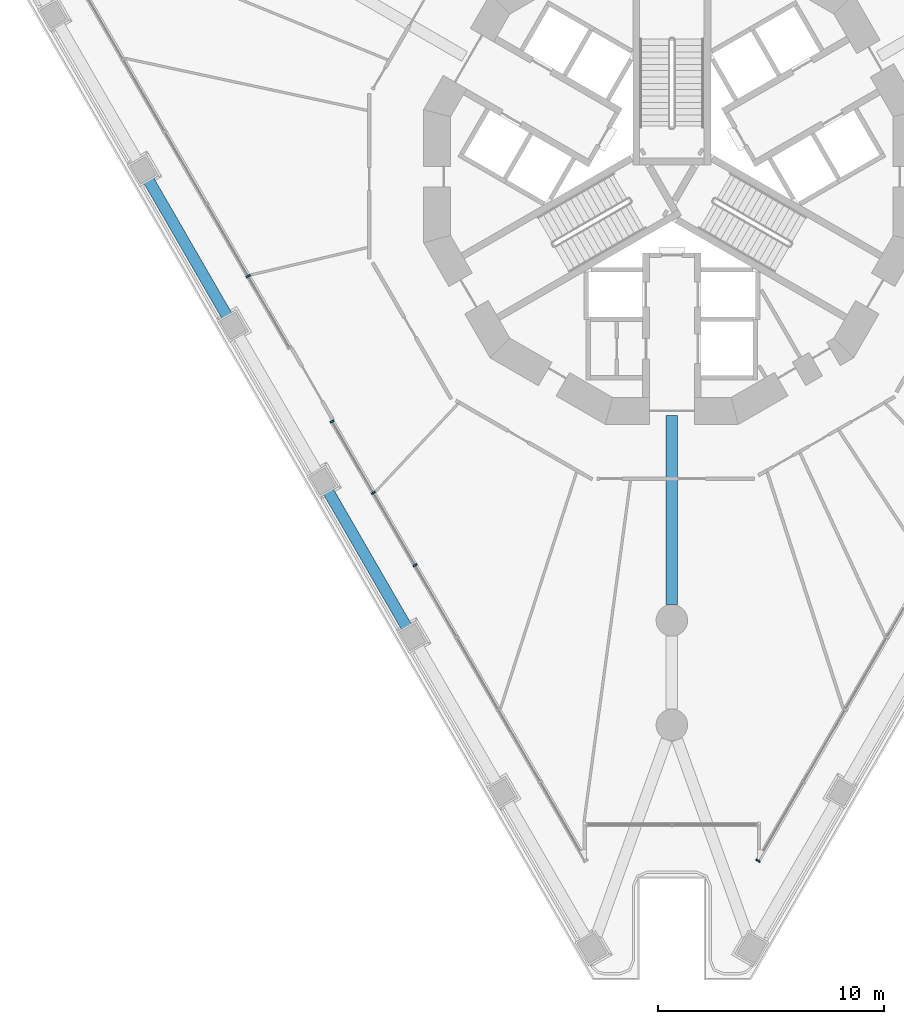
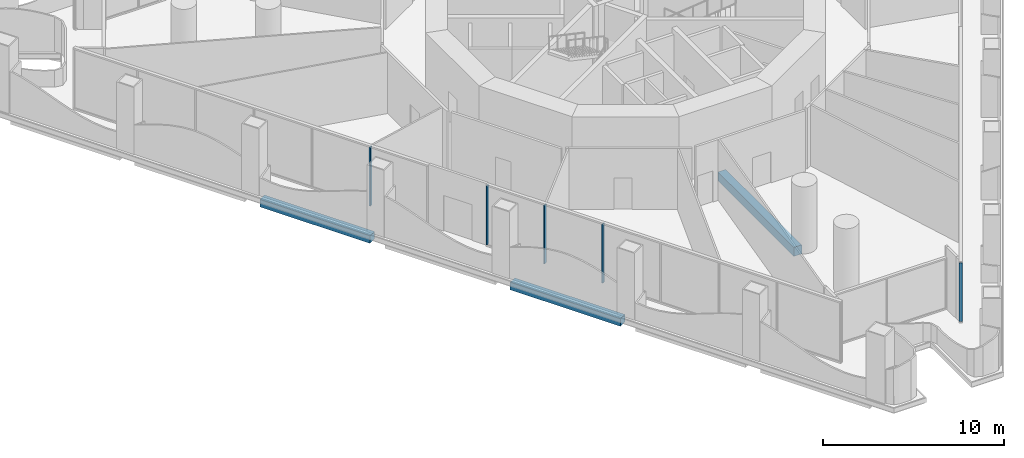
# One storey, part 3 of 21: 5 members, 3 beams, 3 elements without a shape of their own.
"""IFC4 building model written with IfcOpenShell, lengths in metres."""

from ifc_helpers import new_model, si_unit, direction, frame, origin, origin_2d, place, context, subcontext, project, spatial, rectangle, extrude, material, layer, layer_set, material_profile, profile_set, type_object, element, aggregate, save


model = new_model("IFC4")

# Units and contexts
model_context = context("Model", 3, precision=1e-05, world=origin(), true_north=direction((0.0, 1.0)))
body_context = subcontext(model_context, "Body", "Model", "MODEL_VIEW")
ifc_project = project(units=[si_unit("LENGTHUNIT", "METRE"), si_unit("AREAUNIT", "SQUARE_METRE"), si_unit("VOLUMEUNIT", "CUBIC_METRE"), si_unit("PLANEANGLEUNIT", "RADIAN"), si_unit("MASSUNIT", "GRAM", prefix="KILO")], contexts=[model_context])

# Site, building, storey
site_placement = place(None, origin())
site = spatial("IfcSite", under=ifc_project, at=site_placement, CompositionType="ELEMENT")
building_placement = place(site_placement, origin())
building = spatial("IfcBuilding", under=site, at=building_placement, Name="Trine Commons Tower", CompositionType="ELEMENT")
storey_placement = place(building_placement, frame((0.0, 0.0, 9.0)))
storey = spatial("IfcBuildingStorey", under=building, at=storey_placement, Name="L01", CompositionType="ELEMENT", Elevation=9.0)

# Curtain wall, member
ifc_material_1 = material(Name="Podium glazing: anodised aluminium frame with low-emissivity double glazed unit", Category="aluminium")
ifc_layer = layer(ifc_material_1, 0.199951171875)
ifc_layer_set = layer_set([ifc_layer], Name="Podium glazing: anodised aluminium frame with low-emissivity double glazed unit")
curtain_wall_type = type_object("IfcCurtainWallType", Name="Podium glazing curtain wall CW3", PredefinedType="NOTDEFINED", material=ifc_layer_set)
curtain_wall_1_placement = place(storey_placement, origin())
curtain_wall_1 = element("IfcCurtainWall", 1, at=curtain_wall_1_placement, inside=storey, type_object=curtain_wall_type, Name="Podium glazing L01 F2.2", PredefinedType="NOTDEFINED")
ifc_material_2 = material(Name="Anodised aluminium, bronze finish", Category="aluminium")
ifc_material_profile_1 = material_profile(ifc_material_2, rectangle(XDim=0.199951171875, YDim=0.074951171875, at=origin_2d()), Name="Mullion 75x200")
ifc_profile_set_1 = profile_set([ifc_material_profile_1], Name="Anodised aluminium, bronze finish")
member_type = type_object("IfcMemberType", Name="Mullion 75x200, Anodised aluminium, bronze finish", PredefinedType="MULLION", material=ifc_profile_set_1)
member_1_placement = place(storey_placement, frame((83.818603515625, 32.14501953125, 0.10009765625), z_axis=(0.0, 0.0, 1.0), x_axis=(0.866025403784, -0.5, 0.0)))
member_1 = element("IfcMember", 2, at=member_1_placement, type_object=member_type, Name="CW3 mullion 7.1", PredefinedType="MULLION", context=body_context, shape_type="SweptSolid", body=[
    extrude(rectangle(XDim=0.199951171875, YDim=0.074951171875, at=origin_2d()), origin(), (0.0, 0.0, 1.0), 3.949951171875),
])
aggregate(curtain_wall_1, [member_1])

# Curtain wall, members
curtain_wall_2_placement = place(storey_placement, origin())
curtain_wall_2 = element("IfcCurtainWall", 3, at=curtain_wall_2_placement, inside=storey, type_object=curtain_wall_type, Name="Podium glazing L01 F3.1", PredefinedType="NOTDEFINED")
member_2_placement = place(storey_placement, frame((68.615478515625, 45.2490234375, 0.10009765625), z_axis=(0.0, 0.0, 1.0), x_axis=(-0.866025403784, -0.5, 0.0)))
member_2 = element("IfcMember", 4, at=member_2_placement, type_object=member_type, Name="CW3 mullion 5.1", PredefinedType="MULLION", context=body_context, shape_type="SweptSolid", body=[
    extrude(rectangle(XDim=0.199951171875, YDim=0.074951171875, at=origin_2d()), origin(), (0.0, 0.0, 1.0), 3.949951171875),
])
member_3_placement = place(storey_placement, frame((66.76611328125, 48.452392578125, 0.10009765625), z_axis=(0.0, 0.0, 1.0), x_axis=(-0.866025403784, -0.5, 0.0)))
member_3 = element("IfcMember", 5, at=member_3_placement, type_object=member_type, Name="CW3 mullion 6.1", PredefinedType="MULLION", context=body_context, shape_type="SweptSolid", body=[
    extrude(rectangle(XDim=0.199951171875, YDim=0.074951171875, at=origin_2d()), origin(), (0.0, 0.0, 1.0), 3.949951171875),
])
member_4_placement = place(storey_placement, frame((64.935302734375, 51.623291015625, 0.10009765625), z_axis=(0.0, 0.0, 1.0), x_axis=(-0.866025403784, -0.5, 0.0)))
member_4 = element("IfcMember", 6, at=member_4_placement, type_object=member_type, Name="CW3 mullion 7.1", PredefinedType="MULLION", context=body_context, shape_type="SweptSolid", body=[
    extrude(rectangle(XDim=0.199951171875, YDim=0.074951171875, at=origin_2d()), origin(), (0.0, 0.0, 1.0), 3.949951171875),
])
aggregate(curtain_wall_2, [member_2, member_3, member_4])

# Curtain wall, member
curtain_wall_3_placement = place(storey_placement, origin())
curtain_wall_3 = element("IfcCurtainWall", 7, at=curtain_wall_3_placement, inside=storey, type_object=curtain_wall_type, Name="Podium glazing L01 F3.2", PredefinedType="NOTDEFINED")
member_5_placement = place(storey_placement, frame((61.2177734375, 58.0625, 0.10009765625), z_axis=(0.0, 0.0, 1.0), x_axis=(-0.866025403784, -0.5, 0.0)))
member_5 = element("IfcMember", 8, at=member_5_placement, type_object=member_type, Name="CW3 mullion 2.1", PredefinedType="MULLION", context=body_context, shape_type="SweptSolid", body=[
    extrude(rectangle(XDim=0.199951171875, YDim=0.074951171875, at=origin_2d()), origin(), (0.0, 0.0, 1.0), 3.949951171875),
])
aggregate(curtain_wall_3, [member_5])

# Beams
ifc_material_3 = material(Name="Concrete C50/60", Category="concrete")
ifc_material_profile_2 = material_profile(ifc_material_3, rectangle(XDim=0.5, YDim=0.5, at=origin_2d()), Name="RC 500x500")
ifc_profile_set_2 = profile_set([ifc_material_profile_2], Name="Concrete C50/60")
beam_type_1 = type_object("IfcBeamType", Name="RC beam 500x500, C50/60", PredefinedType="BEAM", material=ifc_profile_set_2)
for number, where, z_axis, x_axis, name in (
    (9, (68.254638671875, 42.474365234375, -0.64990234375), (-0.499991645397, 0.866030227263, 0.0), (-0.866030227263, -0.499991645397, 0.0), "Beam EB1-03 L01"),
    (10, (60.291259765625, 56.267333984375, -0.64990234375), (-0.499991645397, 0.866030227263, 0.0), (-0.866030227263, -0.499991645397, 0.0), "Beam EB1-05 L01"),
):
    element("IfcBeam", number, at=place(storey_placement, frame(where, z_axis=z_axis, x_axis=x_axis)), inside=storey, type_object=beam_type_1, Name=name, PredefinedType="BEAM", context=body_context, shape_type="SweptSolid", body=[
        extrude(rectangle(XDim=0.5, YDim=0.5, at=origin_2d()), origin(), (0.0, 0.0, 1.0), 7.01318359375),
    ])
ifc_material_profile_3 = material_profile(ifc_material_3, rectangle(XDim=0.5, YDim=0.60009765625, at=origin_2d()), Name="RC 500x600")
ifc_profile_set_3 = profile_set([ifc_material_profile_3], Name="Concrete C50/60")
beam_type_2 = type_object("IfcBeamType", Name="RC beam 500x600, C50/60", PredefinedType="BEAM", material=ifc_profile_set_3)
beam_placement = place(storey_placement, frame((80.0, 51.888427734375, -0.699951171875), z_axis=(0.0, -1.0, 0.0), x_axis=(1.0, 0.0, 0.0)))
element("IfcBeam", 11, at=beam_placement, inside=storey, type_object=beam_type_2, Name="Beam RB1-01 L01", PredefinedType="BEAM", context=body_context, shape_type="SweptSolid", body=[
    extrude(rectangle(XDim=0.5, YDim=0.60009765625, at=origin_2d()), origin(), (0.0, 0.0, 1.0), 8.385498046875),
])

save(model, "model.ifc")
